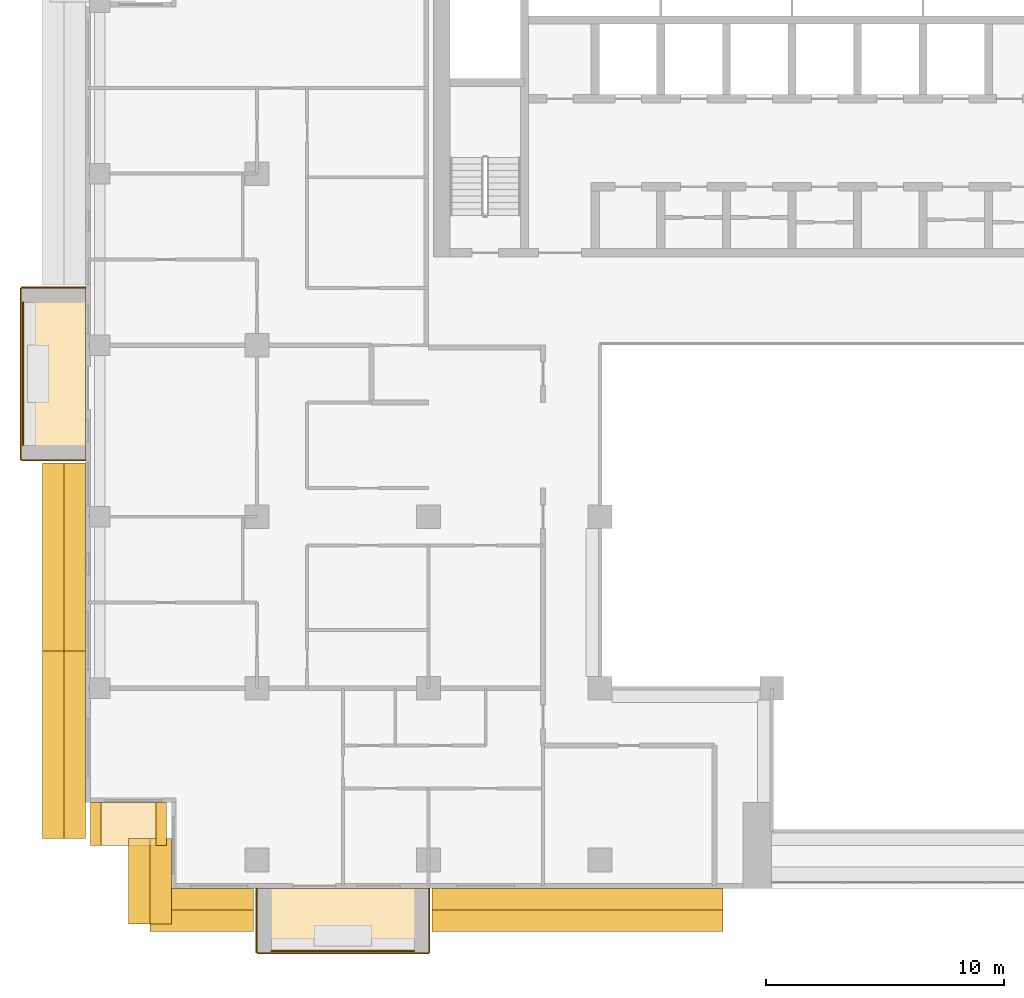
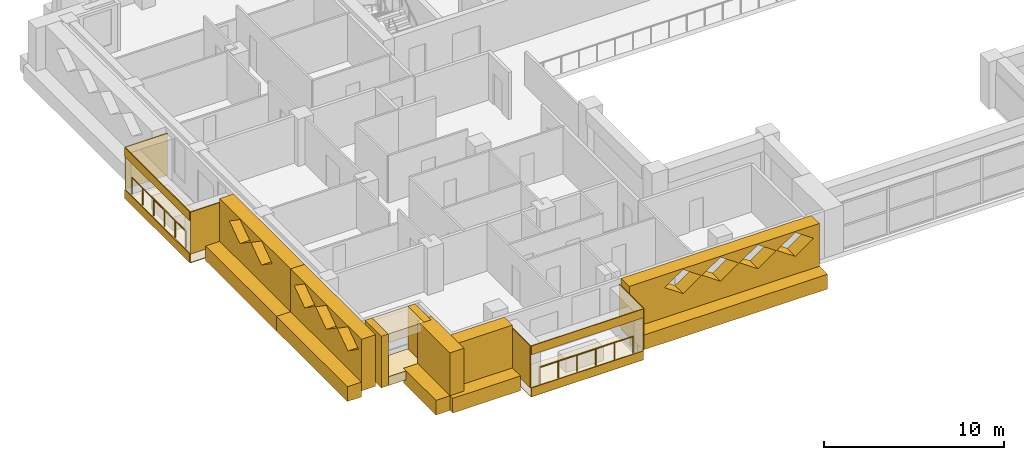
# One storey, part 14 of 20: 24 coverings, 2 railings.
"""IFC4 building model written with IfcOpenShell, lengths in metres."""

from ifc_helpers import new_model, si_unit, direction, frame, origin, origin_2d, place, context, subcontext, project, spatial, polyline, circle, outline, extrude, material, layer, layer_set, type_object, element, save


model = new_model("IFC4")

# Units and contexts
model_context = context("Model", 3, precision=1e-05, world=origin(), true_north=direction((0.0, 1.0)))
body_context = subcontext(model_context, "Body", "Model", "MODEL_VIEW")
ifc_project = project(units=[si_unit("LENGTHUNIT", "METRE"), si_unit("AREAUNIT", "SQUARE_METRE"), si_unit("VOLUMEUNIT", "CUBIC_METRE"), si_unit("PLANEANGLEUNIT", "RADIAN"), si_unit("MASSUNIT", "GRAM", prefix="KILO")], contexts=[model_context])

# Site, building, storey
site_placement = place(None, origin())
site = spatial("IfcSite", under=ifc_project, at=site_placement, CompositionType="ELEMENT")
building_placement = place(site_placement, origin())
building = spatial("IfcBuilding", under=site, at=building_placement, Name="Saffron Iwan Residences", CompositionType="ELEMENT")
storey_placement = place(building_placement, frame((0.0, 0.0, 167.5)))
storey = spatial("IfcBuildingStorey", under=building, at=storey_placement, Name="L44", CompositionType="ELEMENT", Elevation=167.5)

# Railings
ifc_material_1 = material(Name="Stainless steel 316", Category="steel")
railing_type = type_object("IfcRailingType", Name="BALCONY GUARD 1150", PredefinedType="GUARDRAIL", material=ifc_material_1)
railing_1_placement = place(storey_placement, frame((11.77490234375, 64.199951171875, 0.0)))
element("IfcRailing", 1, at=railing_1_placement, inside=storey, type_object=railing_type, Name="Balcony guard L44 F8-0", PredefinedType="GUARDRAIL", context=body_context, shape_type="SweptSolid", body=[
    extrude(circle(Radius=0.02392578125, at=origin_2d()), frame((0.0, 0.0, 1.1259765625), z_axis=(0.0, -1.0, 0.0), x_axis=(1.0, 0.0, 0.0)), (0.0, 0.0, 1.0), 6.0),
    extrude(circle(Radius=0.02099609375, at=origin_2d()), origin(), (0.0, 0.0, 1.0), 1.101806640625),
    extrude(circle(Radius=0.02099609375, at=origin_2d()), frame((0.0, -1.199951171875, 0.0)), (0.0, 0.0, 1.0), 1.101806640625),
    extrude(circle(Radius=0.02099609375, at=origin_2d()), frame((0.0, -2.39990234375, 0.0)), (0.0, 0.0, 1.0), 1.101806640625),
    extrude(circle(Radius=0.02099609375, at=origin_2d()), frame((0.0, -3.60009765625, 0.0)), (0.0, 0.0, 1.0), 1.101806640625),
    extrude(circle(Radius=0.02099609375, at=origin_2d()), frame((0.0, -4.800048828125, 0.0)), (0.0, 0.0, 1.0), 1.101806640625),
    extrude(circle(Radius=0.02099609375, at=origin_2d()), frame((0.0, -6.0, 0.0)), (0.0, 0.0, 1.0), 1.101806640625),
])
railing_2_placement = place(storey_placement, frame((22.199951171875, 36.97509765625, 0.0)))
element("IfcRailing", 2, at=railing_2_placement, inside=storey, type_object=railing_type, Name="Balcony guard L44 11-0", PredefinedType="GUARDRAIL", context=body_context, shape_type="SweptSolid", body=[
    extrude(circle(Radius=0.02392578125, at=origin_2d()), frame((0.0, 0.0, 1.1259765625), z_axis=(1.0, 0.0, 0.0), x_axis=(0.0, 1.0, 0.0)), (0.0, 0.0, 1.0), 6.0),
    extrude(circle(Radius=0.02099609375, at=origin_2d()), origin(), (0.0, 0.0, 1.0), 1.101806640625),
    extrude(circle(Radius=0.02099609375, at=origin_2d()), frame((1.199951171875, 0.0, 0.0)), (0.0, 0.0, 1.0), 1.101806640625),
    extrude(circle(Radius=0.02099609375, at=origin_2d()), frame((2.39990234375, 0.0, 0.0)), (0.0, 0.0, 1.0), 1.101806640625),
    extrude(circle(Radius=0.02099609375, at=origin_2d()), frame((3.60009765625, 0.0, 0.0)), (0.0, 0.0, 1.0), 1.101806640625),
    extrude(circle(Radius=0.02099609375, at=origin_2d()), frame((4.800048828125, 0.0, 0.0)), (0.0, 0.0, 1.0), 1.101806640625),
    extrude(circle(Radius=0.02099609375, at=origin_2d()), frame((6.0, 0.0, 0.0)), (0.0, 0.0, 1.0), 1.101806640625),
])

# Coverings
ifc_material_2 = material(Name="Precast concrete C40/50 white painted", Category="concrete")
ifc_layer_1 = layer(ifc_material_2, 0.050048828125)
ifc_layer_set_1 = layer_set([ifc_layer_1], Name="Precast concrete C40/50 white painted")
covering_type_1 = type_object("IfcCoveringType", Name="FRAME SKIN PRECAST WHITE 50", PredefinedType="CLADDING", material=ifc_layer_set_1)
for number, where, name in (
    (3, (0.0, 0.0, -0.60009765625), "Frame skin slab edge L44 F8-0"),
    (4, (0.0, 0.0, 2.25), "Frame skin fascia L44 F8-0"),
):
    element("IfcCovering", number, at=place(storey_placement, frame(where)), inside=storey, type_object=covering_type_1, Name=name, PredefinedType="CLADDING", context=body_context, shape_type="SweptSolid", body=[
        extrude(outline(polyline([(11.64990234375, 64.800048828125), (11.64990234375, 57.60009765625), (11.699951171875, 57.60009765625), (11.699951171875, 64.800048828125), (11.64990234375, 64.800048828125)])), origin(), (0.0, 0.0, 1.0), 0.60009765625),
    ])
covering_1_placement = place(storey_placement, frame((0.0, 0.0, -0.64990234375)))
element("IfcCovering", 5, at=covering_1_placement, inside=storey, type_object=covering_type_1, Name="Frame skin soffit L44 F8-0", PredefinedType="CLADDING", context=body_context, shape_type="SweptSolid", body=[
    extrude(outline(polyline([(11.699951171875, 64.800048828125), (11.699951171875, 57.60009765625), (14.39990234375, 57.60009765625), (14.39990234375, 64.800048828125), (11.699951171875, 64.800048828125)])), origin(), (0.0, 0.0, 1.0), 0.0498046875),
])
covering_2_placement = place(storey_placement, origin())
element("IfcCovering", 6, at=covering_2_placement, inside=storey, type_object=covering_type_1, Name="Frame skin fin L44 F8-0a", PredefinedType="CLADDING", context=body_context, shape_type="SweptSolid", body=[
    extrude(outline(polyline([(11.699951171875, 64.85009765625), (11.699951171875, 64.800048828125), (14.39990234375, 64.800048828125), (14.39990234375, 64.85009765625), (11.699951171875, 64.85009765625)])), origin(), (0.0, 0.0, 1.0), 2.85009765625),
])
covering_3_placement = place(storey_placement, origin())
element("IfcCovering", 7, at=covering_3_placement, inside=storey, type_object=covering_type_1, Name="Frame skin fin L44 F8-0b", PredefinedType="CLADDING", context=body_context, shape_type="SweptSolid", body=[
    extrude(outline(polyline([(11.699951171875, 57.60009765625), (11.699951171875, 57.550048828125), (14.39990234375, 57.550048828125), (14.39990234375, 57.60009765625), (11.699951171875, 57.60009765625)])), origin(), (0.0, 0.0, 1.0), 2.85009765625),
])
for number, where, name in (
    (8, (0.0, 0.0, -0.60009765625), "Frame skin slab edge L44 11-0"),
    (9, (0.0, 0.0, 2.25), "Frame skin fascia L44 11-0"),
):
    element("IfcCovering", number, at=place(storey_placement, frame(where)), inside=storey, type_object=covering_type_1, Name=name, PredefinedType="CLADDING", context=body_context, shape_type="SweptSolid", body=[
        extrude(outline(polyline([(21.60009765625, 36.85009765625), (28.800048828125, 36.85009765625), (28.800048828125, 36.89990234375), (21.60009765625, 36.89990234375), (21.60009765625, 36.85009765625)])), origin(), (0.0, 0.0, 1.0), 0.60009765625),
    ])
covering_4_placement = place(storey_placement, frame((0.0, 0.0, -0.64990234375)))
element("IfcCovering", 10, at=covering_4_placement, inside=storey, type_object=covering_type_1, Name="Frame skin soffit L44 11-0", PredefinedType="CLADDING", context=body_context, shape_type="SweptSolid", body=[
    extrude(outline(polyline([(21.60009765625, 36.89990234375), (28.800048828125, 36.89990234375), (28.800048828125, 39.60009765625), (21.60009765625, 39.60009765625), (21.60009765625, 36.89990234375)])), origin(), (0.0, 0.0, 1.0), 0.0498046875),
])
covering_5_placement = place(storey_placement, origin())
element("IfcCovering", 11, at=covering_5_placement, inside=storey, type_object=covering_type_1, Name="Frame skin fin L44 11-0a", PredefinedType="CLADDING", context=body_context, shape_type="SweptSolid", body=[
    extrude(outline(polyline([(21.550048828125, 36.89990234375), (21.60009765625, 36.89990234375), (21.60009765625, 39.60009765625), (21.550048828125, 39.60009765625), (21.550048828125, 36.89990234375)])), origin(), (0.0, 0.0, 1.0), 2.85009765625),
])
covering_6_placement = place(storey_placement, origin())
element("IfcCovering", 12, at=covering_6_placement, inside=storey, type_object=covering_type_1, Name="Frame skin fin L44 11-0b", PredefinedType="CLADDING", context=body_context, shape_type="SweptSolid", body=[
    extrude(outline(polyline([(28.800048828125, 36.89990234375), (28.85009765625, 36.89990234375), (28.85009765625, 39.60009765625), (28.800048828125, 39.60009765625), (28.800048828125, 36.89990234375)])), origin(), (0.0, 0.0, 1.0), 2.85009765625),
])
ifc_material_3 = material(Name="Precast concrete C40/50", Category="concrete")
covering_type_2 = type_object("IfcCoveringType", Name="OUTER SKIN LATTICE SCREEN", PredefinedType="CLADDING", material=ifc_material_3)
covering_7_placement = place(storey_placement, frame((14.39990234375, 57.449951171875, -0.300048828125), z_axis=(-1.0, 0.0, 0.0), x_axis=(0.0, -1.0, 0.0)))
element("IfcCovering", 13, at=covering_7_placement, inside=storey, type_object=covering_type_2, Name="OUTER SKIN lattice screen L44 F8.1", PredefinedType="CLADDING", context=body_context, shape_type="SweptSolid", body=[
    extrude(outline(polyline([(0.0, 0.0), (7.875, 0.0), (7.875, 3.5), (0.0, 3.5), (0.0, 0.0)]), holes=[polyline([(1.070068359375, 2.625), (2.25, 1.81005859375), (3.429931640625, 2.625), (2.25, 3.43994140625), (1.070068359375, 2.625)]), polyline([(3.469970703125, 2.625), (4.64990234375, 1.81005859375), (5.830078125, 2.625), (4.64990234375, 3.43994140625), (3.469970703125, 2.625)])]), origin(), (0.0, 0.0, 1.0), 0.89990234375),
])
covering_8_placement = place(storey_placement, frame((14.39990234375, 49.574951171875, -0.300048828125), z_axis=(-1.0, 0.0, 0.0), x_axis=(0.0, -1.0, 0.0)))
element("IfcCovering", 14, at=covering_8_placement, inside=storey, type_object=covering_type_2, Name="OUTER SKIN lattice screen L44 F8.2", PredefinedType="CLADDING", context=body_context, shape_type="SweptSolid", body=[
    extrude(outline(polyline([(0.0, 0.0), (7.875, 0.0), (7.875, 3.5), (0.0, 3.5), (0.0, 0.0)]), holes=[polyline([(0.39501953125, 2.625), (1.574951171875, 1.81005859375), (2.7548828125, 2.625), (1.574951171875, 3.43994140625), (0.39501953125, 2.625)]), polyline([(2.794921875, 2.625), (3.97509765625, 1.81005859375), (5.155029296875, 2.625), (3.97509765625, 3.43994140625), (2.794921875, 2.625)]), polyline([(5.195068359375, 2.625), (6.375, 1.81005859375), (7.554931640625, 2.625), (6.375, 3.43994140625), (5.195068359375, 2.625)])]), origin(), (0.0, 0.0, 1.0), 0.89990234375),
])
covering_9_placement = place(storey_placement, frame((18.0, 41.699951171875, -0.300048828125), z_axis=(-1.0, 0.0, 0.0), x_axis=(0.0, -1.0, 0.0)))
element("IfcCovering", 15, at=covering_9_placement, inside=storey, type_object=covering_type_2, Name="OUTER SKIN lattice screen L44 F10.0", PredefinedType="CLADDING", context=body_context, shape_type="SweptSolid", body=[
    extrude(outline(polyline([(0.0, 0.0), (3.60009765625, 0.0), (3.60009765625, 3.5), (0.0, 3.5), (0.0, 0.0)])), origin(), (0.0, 0.0, 1.0), 0.89990234375),
])
covering_10_placement = place(storey_placement, frame((17.10009765625, 39.60009765625, -0.300048828125), z_axis=(0.0, -1.0, 0.0), x_axis=(1.0, 0.0, 0.0)))
element("IfcCovering", 16, at=covering_10_placement, inside=storey, type_object=covering_type_2, Name="OUTER SKIN lattice screen L44 F11.0", PredefinedType="CLADDING", context=body_context, shape_type="SweptSolid", body=[
    extrude(outline(polyline([(0.0, 0.0), (4.35009765625, 0.0), (4.35009765625, 3.5), (0.0, 3.5), (0.0, 0.0)])), origin(), (0.0, 0.0, 1.0), 0.900146484375),
])
covering_11_placement = place(storey_placement, frame((28.949951171875, 39.60009765625, -0.300048828125), z_axis=(0.0, -1.0, 0.0), x_axis=(1.0, 0.0, 0.0)))
element("IfcCovering", 17, at=covering_11_placement, inside=storey, type_object=covering_type_2, Name="OUTER SKIN lattice screen L44 F11.1", PredefinedType="CLADDING", context=body_context, shape_type="SweptSolid", body=[
    extrude(outline(polyline([(0.0, 0.0), (12.199951171875, 0.0), (12.199951171875, 3.5), (0.0, 3.5), (0.0, 0.0)]), holes=[polyline([(2.27001953125, 2.625), (3.449951171875, 1.81005859375), (4.6298828125, 2.625), (3.449951171875, 3.43994140625), (2.27001953125, 2.625)]), polyline([(4.669921875, 2.625), (5.85009765625, 1.81005859375), (7.030029296875, 2.625), (5.85009765625, 3.43994140625), (4.669921875, 2.625)]), polyline([(7.070068359375, 2.625), (8.25, 1.81005859375), (9.429931640625, 2.625), (8.25, 3.43994140625), (7.070068359375, 2.625)]), polyline([(9.469970703125, 2.625), (10.64990234375, 1.81005859375), (11.830078125, 2.625), (10.64990234375, 3.43994140625), (9.469970703125, 2.625)])]), origin(), (0.0, 0.0, 1.0), 0.900146484375),
])
ifc_layer_2 = layer(ifc_material_2, 0.89990234375)
ifc_layer_set_2 = layer_set([ifc_layer_2], Name="Precast concrete C40/50 white painted")
covering_type_3 = type_object("IfcCoveringType", Name="WHITE EDGE BAND 900 x 1000", PredefinedType="CLADDING", material=ifc_layer_set_2)
covering_12_placement = place(storey_placement, frame((0.0, 0.0, -0.699951171875)))
element("IfcCovering", 18, at=covering_12_placement, inside=storey, type_object=covering_type_3, Name="White edge band L44 F8.1", PredefinedType="CLADDING", context=body_context, shape_type="SweptSolid", body=[
    extrude(outline(polyline([(12.60009765625, 57.449951171875), (12.60009765625, 49.574951171875), (13.5, 49.574951171875), (13.5, 57.449951171875), (12.60009765625, 57.449951171875)])), origin(), (0.0, 0.0, 1.0), 1.0),
])
covering_13_placement = place(storey_placement, frame((0.0, 0.0, -0.699951171875)))
element("IfcCovering", 19, at=covering_13_placement, inside=storey, type_object=covering_type_3, Name="White edge band L44 F8.2", PredefinedType="CLADDING", context=body_context, shape_type="SweptSolid", body=[
    extrude(outline(polyline([(12.60009765625, 49.574951171875), (12.60009765625, 41.699951171875), (13.5, 41.699951171875), (13.5, 49.574951171875), (12.60009765625, 49.574951171875)])), origin(), (0.0, 0.0, 1.0), 1.0),
])
covering_14_placement = place(storey_placement, frame((0.0, 0.0, -0.699951171875)))
element("IfcCovering", 20, at=covering_14_placement, inside=storey, type_object=covering_type_3, Name="White edge band L44 F10.0", PredefinedType="CLADDING", context=body_context, shape_type="SweptSolid", body=[
    extrude(outline(polyline([(16.199951171875, 41.699951171875), (16.199951171875, 38.10009765625), (17.10009765625, 38.10009765625), (17.10009765625, 41.699951171875), (16.199951171875, 41.699951171875)])), origin(), (0.0, 0.0, 1.0), 1.0),
])
covering_15_placement = place(storey_placement, frame((0.0, 0.0, -0.699951171875)))
element("IfcCovering", 21, at=covering_15_placement, inside=storey, type_object=covering_type_3, Name="White edge band L44 F11.0", PredefinedType="CLADDING", context=body_context, shape_type="SweptSolid", body=[
    extrude(outline(polyline([(17.10009765625, 37.800048828125), (21.449951171875, 37.800048828125), (21.449951171875, 38.699951171875), (17.10009765625, 38.699951171875), (17.10009765625, 37.800048828125)])), origin(), (0.0, 0.0, 1.0), 1.0),
])
covering_16_placement = place(storey_placement, frame((0.0, 0.0, -0.699951171875)))
element("IfcCovering", 22, at=covering_16_placement, inside=storey, type_object=covering_type_3, Name="White edge band L44 F11.1", PredefinedType="CLADDING", context=body_context, shape_type="SweptSolid", body=[
    extrude(outline(polyline([(28.949951171875, 37.800048828125), (41.14990234375, 37.800048828125), (41.14990234375, 38.699951171875), (28.949951171875, 38.699951171875), (28.949951171875, 37.800048828125)])), origin(), (0.0, 0.0, 1.0), 1.0),
])
covering_type_4 = type_object("IfcCoveringType", Name="WHITE SUN FRAME PRECAST", PredefinedType="CLADDING", material=ifc_material_2)
for number, where, z_axis, x_axis, name in (
    (23, (14.60009765625, 43.199951171875, -0.300048828125), (0.0, -1.0, 0.0), (1.0, 0.0, 0.0), "Sun frame L44 F9 0.2a"),
    (24, (17.35009765625, 43.199951171875, -0.300048828125), (0.0, -1.0, 0.0), (1.0, 0.0, 0.0), "Sun frame L44 F9 0.2b"),
):
    element("IfcCovering", number, at=place(storey_placement, frame(where, z_axis=z_axis, x_axis=x_axis)), inside=storey, type_object=covering_type_4, Name=name, PredefinedType="CLADDING", context=body_context, shape_type="SweptSolid", body=[
        extrude(outline(polyline([(0.0, 0.0), (0.449951171875, 0.0), (0.449951171875, 3.5), (0.0, 3.5), (0.0, 0.0)])), origin(), (0.0, 0.0, 1.0), 1.800048828125),
    ])
for number, where, z_axis, x_axis, name in (
    (25, (15.050048828125, 43.199951171875, 2.60009765625), (0.0, -1.0, 0.0), (1.0, 0.0, 0.0), "Sun frame L44 F9 0.2h"),
    (26, (15.050048828125, 43.199951171875, -0.300048828125), (0.0, -1.0, 0.0), (1.0, 0.0, 0.0), "Sun frame L44 F9 0.2s"),
):
    element("IfcCovering", number, at=place(storey_placement, frame(where, z_axis=z_axis, x_axis=x_axis)), inside=storey, type_object=covering_type_4, Name=name, PredefinedType="CLADDING", context=body_context, shape_type="SweptSolid", body=[
        extrude(outline(polyline([(0.0, 0.0), (2.300048828125, 0.0), (2.300048828125, 0.60009765625), (0.0, 0.60009765625), (0.0, 0.0)])), origin(), (0.0, 0.0, 1.0), 1.800048828125),
    ])

save(model, "model.ifc")
